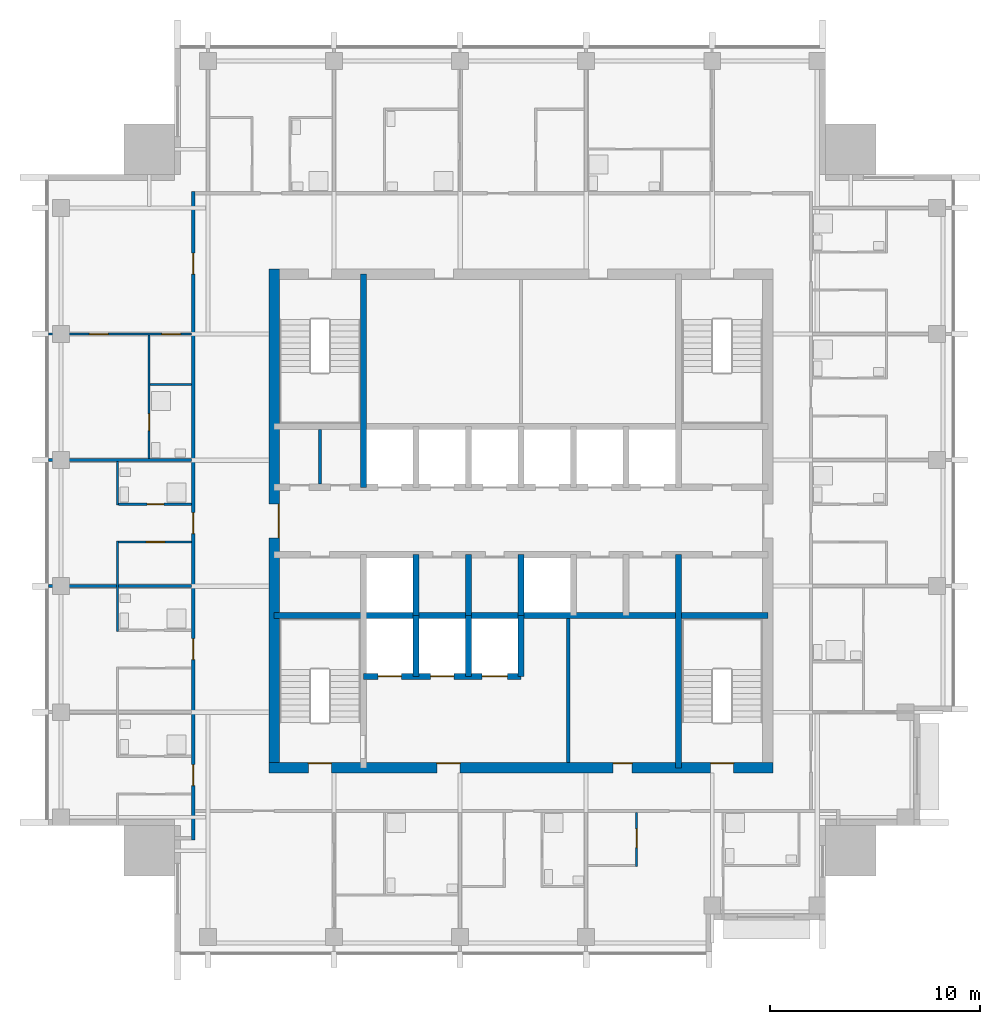
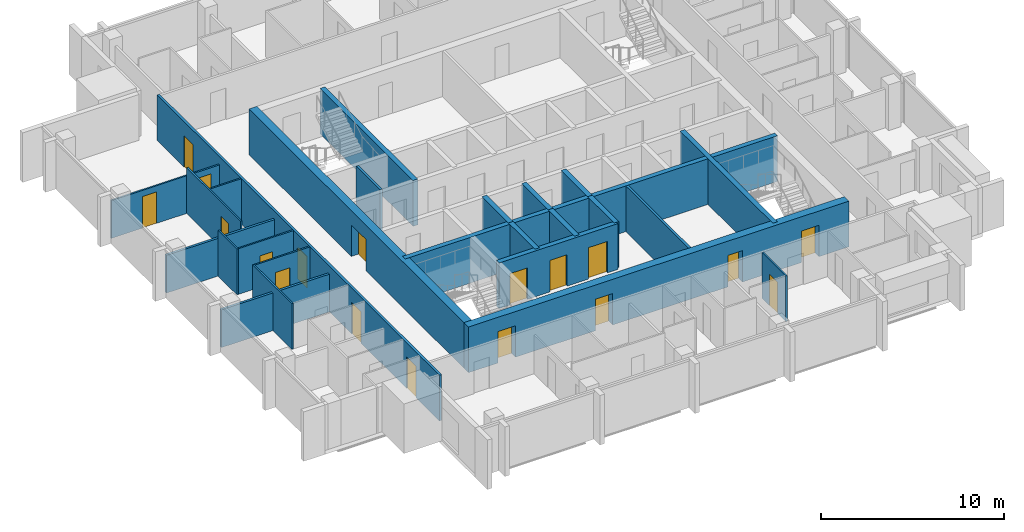
# One storey, part 4 of 9: 25 walls, 18 doors, 18 openings.
"""IFC4 building model written with IfcOpenShell, lengths in metres."""

from ifc_helpers import new_model, si_unit, direction, frame, frame_2d, origin, place, context, subcontext, project, spatial, rectangle, extrude, material, layer, layer_set, type_object, element, fill, save


model = new_model("IFC4")

# Units and contexts
model_context = context("Model", 3, precision=1e-05, world=origin(), true_north=direction((0.0, 1.0)))
body_context = subcontext(model_context, "Body", "Model", "MODEL_VIEW")
ifc_project = project(units=[si_unit("LENGTHUNIT", "METRE"), si_unit("AREAUNIT", "SQUARE_METRE"), si_unit("VOLUMEUNIT", "CUBIC_METRE"), si_unit("PLANEANGLEUNIT", "RADIAN"), si_unit("MASSUNIT", "GRAM", prefix="KILO")], contexts=[model_context])

# Site, building, storey
site_placement = place(None, origin())
site = spatial("IfcSite", under=ifc_project, at=site_placement, CompositionType="ELEMENT")
building_placement = place(site_placement, origin())
building = spatial("IfcBuilding", under=site, at=building_placement, Name="Amberfall Residences", CompositionType="ELEMENT")
storey_placement = place(building_placement, frame((0.0, 0.0, 245.5)))
storey = spatial("IfcBuildingStorey", under=building, at=storey_placement, Name="L65", CompositionType="ELEMENT", Elevation=245.5)

# Walls
ifc_material_1 = material(Name="Concrete C50", Category="concrete")
ifc_layer_1 = layer(ifc_material_1, 0.300048828125)
ifc_layer_set_1 = layer_set([ifc_layer_1], Name="Core wall 300 C50")
wall_type_1 = type_object("IfcWallType", Name="Core wall 300 C50", PredefinedType="SHEAR", material=ifc_layer_set_1)
wall_1_placement = place(storey_placement, frame((62.75, 41.0, 0.0), z_axis=(0.0, 0.0, 1.0), x_axis=(1.0, 0.0, 0.0)))
element("IfcWall", 1, at=wall_1_placement, inside=storey, type_object=wall_type_1, Name="Core wall RW10 L65 H75", PredefinedType="SHEAR", context=body_context, shape_type="SweptSolid", body=[
    extrude(rectangle(XDim=23.5, YDim=0.300048828125, at=frame_2d((11.75, 0.0))), origin(), (0.0, 0.0, 1.0), 3.050048828125),
])
for number, where, z_axis, x_axis, name in (
    (2, (67.0, 47.10009765625, 0.0), (0.0, 0.0, 1.0), (0.0, 1.0, 0.0), "Core wall RW10 L65 V45N"),
    (3, (82.0, 33.75, 0.0), (0.0, 0.0, 1.0), (0.0, 1.0, 0.0), "Core wall RW10 L65 V195S"),
):
    element("IfcWall", number, at=place(storey_placement, frame(where, z_axis=z_axis, x_axis=x_axis)), inside=storey, type_object=wall_type_1, Name=name, PredefinedType="SHEAR", context=body_context, shape_type="SweptSolid", body=[
        extrude(rectangle(XDim=10.14990234375, YDim=0.300048828125, at=frame_2d((5.074951171875, 0.0))), origin(), (0.0, 0.0, 1.0), 3.050048828125),
    ])
for number, where, z_axis, x_axis, name in (
    (4, (69.5, 41.0, 0.0), (0.0, 0.0, 1.0), (0.0, 1.0, 0.0), "Core wall RW10 L65 LPD1"),
    (5, (72.0, 41.0, 0.0), (0.0, 0.0, 1.0), (0.0, 1.0, 0.0), "Core wall RW10 L65 LPD2"),
    (6, (74.5, 41.0, 0.0), (0.0, 0.0, 1.0), (0.0, 1.0, 0.0), "Core wall RW10 L65 LPD3"),
):
    element("IfcWall", number, at=place(storey_placement, frame(where, z_axis=z_axis, x_axis=x_axis)), inside=storey, type_object=wall_type_1, Name=name, PredefinedType="SHEAR", context=body_context, shape_type="SweptSolid", body=[
        extrude(rectangle(XDim=2.89990234375, YDim=0.300048828125, at=frame_2d((1.449951171875, 0.0))), origin(), (0.0, 0.0, 1.0), 3.050048828125),
    ])

# Wall, openings, doors
wall_2_placement = place(storey_placement, frame((67.0, 38.10009765625, 0.0), z_axis=(0.0, 0.0, 1.0), x_axis=(1.0, 0.0, 0.0)))
wall_2 = element("IfcWall", 7, at=wall_2_placement, inside=storey, type_object=wall_type_1, Name="Core wall RW10 L65 FFF", PredefinedType="SHEAR", context=body_context, shape_type="SweptSolid", body=[
    extrude(rectangle(XDim=7.5, YDim=0.300048828125, at=frame_2d((3.75, 0.0))), origin(), (0.0, 0.0, 1.0), 3.050048828125),
])
opening_1_placement = place(wall_2_placement, frame((0.699951171875, 0.0, 0.0)))
opening_1 = element("IfcOpeningElement", 8, at=opening_1_placement, cuts=wall_2, Name="Opening LD2", PredefinedType="OPENING", context=body_context, shape_type="SweptSolid", body=[
    extrude(rectangle(XDim=1.10009765625, YDim=2.10009765625, at=frame_2d((0.550048828125, 1.050048828125))), frame((0.0, 0.159912109375, 0.0), z_axis=(0.0, -1.0, 0.0), x_axis=(1.0, 0.0, 0.0)), (0.0, 0.0, 1.0), 0.320068359375),
])
opening_2_placement = place(wall_2_placement, frame((3.199951171875, 0.0, 0.0)))
opening_2 = element("IfcOpeningElement", 9, at=opening_2_placement, cuts=wall_2, Name="Opening LD2", PredefinedType="OPENING", context=body_context, shape_type="SweptSolid", body=[
    extrude(rectangle(XDim=1.10009765625, YDim=2.10009765625, at=frame_2d((0.550048828125, 1.050048828125))), frame((0.0, 0.159912109375, 0.0), z_axis=(0.0, -1.0, 0.0), x_axis=(1.0, 0.0, 0.0)), (0.0, 0.0, 1.0), 0.320068359375),
])
opening_3_placement = place(wall_2_placement, frame((5.64990234375, 0.0, 0.0)))
opening_3 = element("IfcOpeningElement", 10, at=opening_3_placement, cuts=wall_2, Name="Opening LD3", PredefinedType="OPENING", context=body_context, shape_type="SweptSolid", body=[
    extrude(rectangle(XDim=1.199951171875, YDim=2.10009765625, at=frame_2d((0.60009765625, 1.050048828125))), frame((0.0, 0.159912109375, 0.0), z_axis=(0.0, -1.0, 0.0), x_axis=(1.0, 0.0, 0.0)), (0.0, 0.0, 1.0), 0.320068359375),
])
ifc_material_2 = material(Name="Steel fire door set", Category="steel")
door_type_1 = type_object("IfcDoorType", Name="Firefighting lift landing door 1100 x 2100", OperationType="DOUBLE_DOOR_SLIDING", PredefinedType="DOOR", material=ifc_material_2)
door_1_placement = place(opening_1_placement, origin())
door_1 = element("IfcDoor", 11, at=door_1_placement, inside=storey, type_object=door_type_1, Name="Landing door FF1 L65", OperationType="DOUBLE_DOOR_SLIDING", OverallHeight=2.10009765625, OverallWidth=1.10009765625, PredefinedType="DOOR", context=body_context, shape_type="SweptSolid", body=[
    extrude(rectangle(XDim=1.10009765625, YDim=2.10009765625, at=frame_2d((0.550048828125, 1.050048828125))), frame((0.0, 0.02490234375, 0.0), z_axis=(0.0, -1.0, 0.0), x_axis=(1.0, 0.0, 0.0)), (0.0, 0.0, 1.0), 0.050048828125),
])
fill(opening_1, door_1)
door_2_placement = place(opening_2_placement, origin())
door_2 = element("IfcDoor", 12, at=door_2_placement, inside=storey, type_object=door_type_1, Name="Landing door FF2 L65", OperationType="DOUBLE_DOOR_SLIDING", OverallHeight=2.10009765625, OverallWidth=1.10009765625, PredefinedType="DOOR", context=body_context, shape_type="SweptSolid", body=[
    extrude(rectangle(XDim=1.10009765625, YDim=2.10009765625, at=frame_2d((0.550048828125, 1.050048828125))), frame((0.0, 0.02490234375, 0.0), z_axis=(0.0, -1.0, 0.0), x_axis=(1.0, 0.0, 0.0)), (0.0, 0.0, 1.0), 0.050048828125),
])
fill(opening_2, door_2)
door_type_2 = type_object("IfcDoorType", Name="Service lift landing door 1200 x 2100", OperationType="DOUBLE_DOOR_SLIDING", PredefinedType="DOOR", material=ifc_material_2)
door_3_placement = place(opening_3_placement, origin())
door_3 = element("IfcDoor", 13, at=door_3_placement, inside=storey, type_object=door_type_2, Name="Landing door SL1 L65", OperationType="DOUBLE_DOOR_SLIDING", OverallHeight=2.10009765625, OverallWidth=1.199951171875, PredefinedType="DOOR", context=body_context, shape_type="SweptSolid", body=[
    extrude(rectangle(XDim=1.199951171875, YDim=2.10009765625, at=frame_2d((0.60009765625, 1.050048828125))), frame((0.0, 0.02490234375, 0.0), z_axis=(0.0, -1.0, 0.0), x_axis=(1.0, 0.0, 0.0)), (0.0, 0.0, 1.0), 0.050048828125),
])
fill(opening_3, door_3)

# Walls
for number, where, z_axis, x_axis, name in (
    (14, (69.5, 38.10009765625, 0.0), (0.0, 0.0, 1.0), (0.0, 1.0, 0.0), "Core wall RW10 L65 FFD1"),
    (15, (72.0, 38.10009765625, 0.0), (0.0, 0.0, 1.0), (0.0, 1.0, 0.0), "Core wall RW10 L65 FFD2"),
    (16, (74.5, 38.10009765625, 0.0), (0.0, 0.0, 1.0), (0.0, 1.0, 0.0), "Core wall RW10 L65 FFD3"),
):
    element("IfcWall", number, at=place(storey_placement, frame(where, z_axis=z_axis, x_axis=x_axis)), inside=storey, type_object=wall_type_1, Name=name, PredefinedType="SHEAR", context=body_context, shape_type="SweptSolid", body=[
        extrude(rectangle(XDim=2.89990234375, YDim=0.300048828125, at=frame_2d((1.449951171875, 0.0))), origin(), (0.0, 0.0, 1.0), 3.050048828125),
    ])

# Wall, openings, doors
ifc_layer_2 = layer(ifc_material_1, 0.5)
ifc_layer_set_2 = layer_set([ifc_layer_2], Name="Core wall 500 C50")
wall_type_2 = type_object("IfcWallType", Name="Core wall 500 C50", PredefinedType="SHEAR", material=ifc_layer_set_2)
wall_3_placement = place(storey_placement, frame((62.5, 33.75, 0.0), z_axis=(0.0, 0.0, 1.0), x_axis=(1.0, 0.0, 0.0)))
wall_3 = element("IfcWall", 17, at=wall_3_placement, inside=storey, type_object=wall_type_2, Name="Core wall RW9 L65 OS", PredefinedType="SHEAR", context=body_context, shape_type="SweptSolid", body=[
    extrude(rectangle(XDim=24.0, YDim=0.5, at=frame_2d((12.0, 0.0))), origin(), (0.0, 0.0, 1.0), 3.050048828125),
])
opening_4_placement = place(wall_3_placement, frame((1.875, 0.0, 0.0)))
opening_4 = element("IfcOpeningElement", 18, at=opening_4_placement, cuts=wall_3, Name="Opening SD1", PredefinedType="OPENING", context=body_context, shape_type="SweptSolid", body=[
    extrude(rectangle(XDim=1.10009765625, YDim=2.10009765625, at=frame_2d((0.550048828125, 1.050048828125))), frame((0.0, 0.260009765625, 0.0), z_axis=(0.0, -1.0, 0.0), x_axis=(1.0, 0.0, 0.0)), (0.0, 0.0, 1.0), 0.52001953125),
])
opening_5_placement = place(wall_3_placement, frame((21.02490234375, 0.0, 0.0)))
opening_5 = element("IfcOpeningElement", 19, at=opening_5_placement, cuts=wall_3, Name="Opening SD1", PredefinedType="OPENING", context=body_context, shape_type="SweptSolid", body=[
    extrude(rectangle(XDim=1.10009765625, YDim=2.10009765625, at=frame_2d((0.550048828125, 1.050048828125))), frame((0.0, 0.260009765625, 0.0), z_axis=(0.0, -1.0, 0.0), x_axis=(1.0, 0.0, 0.0)), (0.0, 0.0, 1.0), 0.52001953125),
])
opening_6_placement = place(wall_3_placement, frame((8.0, 0.0, 0.0)))
opening_6 = element("IfcOpeningElement", 20, at=opening_6_placement, cuts=wall_3, Name="Opening FL1", PredefinedType="OPENING", context=body_context, shape_type="SweptSolid", body=[
    extrude(rectangle(XDim=1.10009765625, YDim=2.10009765625, at=frame_2d((0.550048828125, 1.050048828125))), frame((0.0, 0.260009765625, 0.0), z_axis=(0.0, -1.0, 0.0), x_axis=(1.0, 0.0, 0.0)), (0.0, 0.0, 1.0), 0.52001953125),
])
opening_7_placement = place(wall_3_placement, frame((16.387451171875, 0.0, 0.0)))
opening_7 = element("IfcOpeningElement", 21, at=opening_7_placement, cuts=wall_3, Name="Opening RD1", PredefinedType="OPENING", context=body_context, shape_type="SweptSolid", body=[
    extrude(rectangle(XDim=0.89990234375, YDim=2.10009765625, at=frame_2d((0.449951171875, 1.050048828125))), frame((0.0, 0.260009765625, 0.0), z_axis=(0.0, -1.0, 0.0), x_axis=(1.0, 0.0, 0.0)), (0.0, 0.0, 1.0), 0.52001953125),
])
door_type_3 = type_object("IfcDoorType", Name="Firefighting lobby door 1100 x 2100", OperationType="SINGLE_SWING_LEFT", PredefinedType="DOOR", material=ifc_material_2)
door_4_placement = place(opening_6_placement, origin())
door_4 = element("IfcDoor", 22, at=door_4_placement, inside=storey, type_object=door_type_3, Name="FL1 L65", OperationType="SINGLE_SWING_LEFT", OverallHeight=2.10009765625, OverallWidth=1.10009765625, PredefinedType="DOOR", context=body_context, shape_type="SweptSolid", body=[
    extrude(rectangle(XDim=1.10009765625, YDim=2.10009765625, at=frame_2d((0.550048828125, 1.050048828125))), frame((0.0, 0.2373046875, 0.0), z_axis=(0.0, -1.0, 0.0), x_axis=(1.0, 0.0, 0.0)), (0.0, 0.0, 1.0), 0.050048828125),
])
fill(opening_6, door_4)
door_type_4 = type_object("IfcDoorType", Name="Service room door 900 x 2100", OperationType="SINGLE_SWING_LEFT", PredefinedType="DOOR", material=ifc_material_2)
door_5_placement = place(opening_7_placement, origin())
door_5 = element("IfcDoor", 23, at=door_5_placement, inside=storey, type_object=door_type_4, Name="RD1 L65", OperationType="SINGLE_SWING_LEFT", OverallHeight=2.10009765625, OverallWidth=0.89990234375, PredefinedType="DOOR", context=body_context, shape_type="SweptSolid", body=[
    extrude(rectangle(XDim=0.89990234375, YDim=2.10009765625, at=frame_2d((0.449951171875, 1.050048828125))), frame((0.0, 0.2373046875, 0.0), z_axis=(0.0, -1.0, 0.0), x_axis=(1.0, 0.0, 0.0)), (0.0, 0.0, 1.0), 0.050048828125),
])
fill(opening_7, door_5)
door_type_5 = type_object("IfcDoorType", Name="Stair door 1100 x 2100", OperationType="SINGLE_SWING_LEFT", PredefinedType="DOOR", material=ifc_material_2)
door_6_placement = place(opening_4_placement, origin())
door_6 = element("IfcDoor", 24, at=door_6_placement, inside=storey, type_object=door_type_5, Name="SD1 L65", OperationType="SINGLE_SWING_LEFT", OverallHeight=2.10009765625, OverallWidth=1.10009765625, PredefinedType="DOOR", context=body_context, shape_type="SweptSolid", body=[
    extrude(rectangle(XDim=1.10009765625, YDim=2.10009765625, at=frame_2d((0.550048828125, 1.050048828125))), frame((0.0, 0.2373046875, 0.0), z_axis=(0.0, -1.0, 0.0), x_axis=(1.0, 0.0, 0.0)), (0.0, 0.0, 1.0), 0.050048828125),
])
fill(opening_4, door_6)
door_7_placement = place(opening_5_placement, origin())
door_7 = element("IfcDoor", 25, at=door_7_placement, inside=storey, type_object=door_type_5, Name="SD1 L65", OperationType="SINGLE_SWING_RIGHT", OverallHeight=2.10009765625, OverallWidth=1.10009765625, PredefinedType="DOOR", context=body_context, shape_type="SweptSolid", body=[
    extrude(rectangle(XDim=1.10009765625, YDim=2.10009765625, at=frame_2d((0.550048828125, 1.050048828125))), frame((0.0, 0.2373046875, 0.0), z_axis=(0.0, -1.0, 0.0), x_axis=(1.0, 0.0, 0.0)), (0.0, 0.0, 1.0), 0.050048828125),
])
fill(opening_5, door_7)

# Wall, opening, door
wall_4_placement = place(storey_placement, frame((62.75, 33.5, 0.0), z_axis=(0.0, 0.0, 1.0), x_axis=(0.0, 1.0, 0.0)))
wall_4 = element("IfcWall", 26, at=wall_4_placement, inside=storey, type_object=wall_type_2, Name="Core wall RW9 L65 OW", PredefinedType="SHEAR", context=body_context, shape_type="SweptSolid", body=[
    extrude(rectangle(XDim=24.0, YDim=0.5, at=frame_2d((12.0, 0.0))), origin(), (0.0, 0.0, 1.0), 3.050048828125),
])
opening_8_placement = place(wall_4_placement, frame((11.199951171875, 0.0, 0.0)))
opening_8 = element("IfcOpeningElement", 27, at=opening_8_placement, cuts=wall_4, Name="Opening LB1", PredefinedType="OPENING", context=body_context, shape_type="SweptSolid", body=[
    extrude(rectangle(XDim=1.60009765625, YDim=2.10009765625, at=frame_2d((0.800048828125, 1.050048828125))), frame((0.0, 0.260009765625, 0.0), z_axis=(0.0, -1.0, 0.0), x_axis=(1.0, 0.0, 0.0)), (0.0, 0.0, 1.0), 0.52001953125),
])
door_type_6 = type_object("IfcDoorType", Name="Lift lobby double door 1600 x 2100", OperationType="DOUBLE_DOOR_SINGLE_SWING", PredefinedType="DOOR", material=ifc_material_2)
door_8_placement = place(opening_8_placement, origin())
door_8 = element("IfcDoor", 28, at=door_8_placement, inside=storey, type_object=door_type_6, Name="LB1 L65", OperationType="DOUBLE_DOOR_SINGLE_SWING", OverallHeight=2.10009765625, OverallWidth=1.60009765625, PredefinedType="DOOR", context=body_context, shape_type="SweptSolid", body=[
    extrude(rectangle(XDim=1.60009765625, YDim=2.10009765625, at=frame_2d((0.800048828125, 1.050048828125))), frame((0.0, -0.1875, 0.0), z_axis=(0.0, -1.0, 0.0), x_axis=(1.0, 0.0, 0.0)), (0.0, 0.0, 1.0), 0.050048828125),
])
fill(opening_8, door_8)

# Walls
ifc_material_3 = material(Name="Gypsum board on metal stud")
ifc_layer_3 = layer(ifc_material_3, 0.10009765625)
ifc_layer_set_3 = layer_set([ifc_layer_3], Name="Flat partition 100")
wall_type_3 = type_object("IfcWallType", Name="Flat partition 100", PredefinedType="PARTITIONING", material=ifc_layer_set_3)
wall_5_placement = place(storey_placement, frame((55.300048828125, 40.25, 0.0), z_axis=(0.0, 0.0, 1.0), x_axis=(0.0, 1.0, 0.0)))
element("IfcWall", 29, at=wall_5_placement, inside=storey, type_object=wall_type_3, Name="Partition 003", PredefinedType="PARTITIONING", context=body_context, shape_type="SweptSolid", body=[
    extrude(rectangle(XDim=4.300048828125, YDim=0.10009765625, at=frame_2d((2.14990234375, 0.0))), origin(), (0.0, 0.0, 1.0), 3.050048828125),
])
wall_6_placement = place(storey_placement, frame((55.300048828125, 46.25, 0.0), z_axis=(0.0, 0.0, 1.0), x_axis=(0.0, 1.0, 0.0)))
element("IfcWall", 30, at=wall_6_placement, inside=storey, type_object=wall_type_3, Name="Partition 004", PredefinedType="PARTITIONING", context=body_context, shape_type="SweptSolid", body=[
    extrude(rectangle(XDim=2.074951171875, YDim=0.10009765625, at=frame_2d((1.03759765625, 0.0))), origin(), (0.0, 0.0, 1.0), 3.050048828125),
])

# Wall, opening, door
wall_7_placement = place(storey_placement, frame((56.800048828125, 54.35009765625, 0.0), z_axis=(0.0, 0.0, 1.0), x_axis=(0.0, -1.0, 0.0)))
wall_7 = element("IfcWall", 31, at=wall_7_placement, inside=storey, type_object=wall_type_3, Name="Partition 005", PredefinedType="PARTITIONING", context=body_context, shape_type="SweptSolid", body=[
    extrude(rectangle(XDim=5.875, YDim=0.10009765625, at=frame_2d((2.9375, 0.0))), origin(), (0.0, 0.0, 1.0), 3.050048828125),
])
opening_9_placement = place(wall_7_placement, frame((3.75, 0.0, 0.0)))
opening_9 = element("IfcOpeningElement", 32, at=opening_9_placement, cuts=wall_7, Name="Opening D42", PredefinedType="OPENING", context=body_context, shape_type="SweptSolid", body=[
    extrude(rectangle(XDim=0.800048828125, YDim=2.10009765625, at=frame_2d((0.39990234375, 1.050048828125))), frame((0.0, 0.06005859375, 0.0), z_axis=(0.0, -1.0, 0.0), x_axis=(1.0, 0.0, 0.0)), (0.0, 0.0, 1.0), 0.1201171875),
])
ifc_material_4 = material(Name="Timber", Category="wood")
door_type_7 = type_object("IfcDoorType", Name="Bathroom door 800 x 2100", OperationType="SINGLE_SWING_LEFT", PredefinedType="DOOR", material=ifc_material_4)
door_9_placement = place(opening_9_placement, origin())
door_9 = element("IfcDoor", 33, at=door_9_placement, inside=storey, type_object=door_type_7, Name="Door 6514 bath1", OperationType="SINGLE_SWING_LEFT", OverallHeight=2.10009765625, OverallWidth=0.800048828125, PredefinedType="DOOR", context=body_context, shape_type="SweptSolid", body=[
    extrude(rectangle(XDim=0.800048828125, YDim=2.10009765625, at=frame_2d((0.39990234375, 1.050048828125))), frame((0.0, 0.02490234375, 0.0), z_axis=(0.0, -1.0, 0.0), x_axis=(1.0, 0.0, 0.0)), (0.0, 0.0, 1.0), 0.050048828125),
])
fill(opening_9, door_9)

wall_8_placement = place(storey_placement, frame((80.0, 29.050048828125, 0.0), z_axis=(0.0, 0.0, 1.0), x_axis=(0.0, 1.0, 0.0)))
wall_8 = element("IfcWall", 34, at=wall_8_placement, inside=storey, type_object=wall_type_3, Name="Partition 015", PredefinedType="PARTITIONING", context=body_context, shape_type="SweptSolid", body=[
    extrude(rectangle(XDim=2.574951171875, YDim=0.10009765625, at=frame_2d((1.28759765625, 0.0))), origin(), (0.0, 0.0, 1.0), 3.050048828125),
])
opening_10_placement = place(wall_8_placement, frame((0.89990234375, 0.0, 0.0)))
opening_10 = element("IfcOpeningElement", 35, at=opening_10_placement, cuts=wall_8, Name="Opening D41", PredefinedType="OPENING", context=body_context, shape_type="SweptSolid", body=[
    extrude(rectangle(XDim=0.89990234375, YDim=2.10009765625, at=frame_2d((0.449951171875, 1.050048828125))), frame((0.0, 0.06005859375, 0.0), z_axis=(0.0, -1.0, 0.0), x_axis=(1.0, 0.0, 0.0)), (0.0, 0.0, 1.0), 0.1201171875),
])
door_type_8 = type_object("IfcDoorType", Name="Internal door 900 x 2100", OperationType="SINGLE_SWING_LEFT", PredefinedType="DOOR", material=ifc_material_4)
door_10_placement = place(opening_10_placement, origin())
door_10 = element("IfcDoor", 36, at=door_10_placement, inside=storey, type_object=door_type_8, Name="Door 6503 kitchen", OperationType="SINGLE_SWING_LEFT", OverallHeight=2.10009765625, OverallWidth=0.89990234375, PredefinedType="DOOR", context=body_context, shape_type="SweptSolid", body=[
    extrude(rectangle(XDim=0.89990234375, YDim=2.10009765625, at=frame_2d((0.449951171875, 1.050048828125))), frame((0.0, 0.02490234375, 0.0), z_axis=(0.0, -1.0, 0.0), x_axis=(1.0, 0.0, 0.0)), (0.0, 0.0, 1.0), 0.050048828125),
])
fill(opening_10, door_10)

# Wall, openings, doors
wall_9_placement = place(storey_placement, frame((58.824951171875, 54.39990234375, 0.0), z_axis=(0.0, 0.0, 1.0), x_axis=(-1.0, 0.0, 0.0)))
wall_9 = element("IfcWall", 37, at=wall_9_placement, inside=storey, type_object=wall_type_3, Name="Partition 032", PredefinedType="PARTITIONING", context=body_context, shape_type="SweptSolid", body=[
    extrude(rectangle(XDim=6.824951171875, YDim=0.10009765625, at=frame_2d((3.41259765625, 0.0))), origin(), (0.0, 0.0, 1.0), 2.51611328125),
])
opening_11_placement = place(wall_9_placement, frame((0.52490234375, 0.0, 0.0)))
opening_11 = element("IfcOpeningElement", 38, at=opening_11_placement, cuts=wall_9, Name="Opening D41", PredefinedType="OPENING", context=body_context, shape_type="SweptSolid", body=[
    extrude(rectangle(XDim=0.89990234375, YDim=2.10009765625, at=frame_2d((0.449951171875, 1.050048828125))), frame((0.0, 0.06005859375, 0.0), z_axis=(0.0, -1.0, 0.0), x_axis=(1.0, 0.0, 0.0)), (0.0, 0.0, 1.0), 0.1201171875),
])
opening_12_placement = place(wall_9_placement, frame((3.97509765625, 0.0, 0.0)))
opening_12 = element("IfcOpeningElement", 39, at=opening_12_placement, cuts=wall_9, Name="Opening D41", PredefinedType="OPENING", context=body_context, shape_type="SweptSolid", body=[
    extrude(rectangle(XDim=0.89990234375, YDim=2.10009765625, at=frame_2d((0.449951171875, 1.050048828125))), frame((0.0, 0.06005859375, 0.0), z_axis=(0.0, -1.0, 0.0), x_axis=(1.0, 0.0, 0.0)), (0.0, 0.0, 1.0), 0.1201171875),
])
door_11_placement = place(opening_11_placement, origin())
door_11 = element("IfcDoor", 40, at=door_11_placement, inside=storey, type_object=door_type_8, Name="Door 6514 kitchen", OperationType="SINGLE_SWING_LEFT", OverallHeight=2.10009765625, OverallWidth=0.89990234375, PredefinedType="DOOR", context=body_context, shape_type="SweptSolid", body=[
    extrude(rectangle(XDim=0.89990234375, YDim=2.10009765625, at=frame_2d((0.449951171875, 1.050048828125))), frame((0.0, 0.02490234375, 0.0), z_axis=(0.0, -1.0, 0.0), x_axis=(1.0, 0.0, 0.0)), (0.0, 0.0, 1.0), 0.050048828125),
])
fill(opening_11, door_11)
door_12_placement = place(opening_12_placement, origin())
door_12 = element("IfcDoor", 41, at=door_12_placement, inside=storey, type_object=door_type_8, Name="Door 6514 bedroom1", OperationType="SINGLE_SWING_LEFT", OverallHeight=2.10009765625, OverallWidth=0.89990234375, PredefinedType="DOOR", context=body_context, shape_type="SweptSolid", body=[
    extrude(rectangle(XDim=0.89990234375, YDim=2.10009765625, at=frame_2d((0.449951171875, 1.050048828125))), frame((0.0, 0.02490234375, 0.0), z_axis=(0.0, -1.0, 0.0), x_axis=(1.0, 0.0, 0.0)), (0.0, 0.0, 1.0), 0.050048828125),
])
fill(opening_12, door_12)

# Wall
wall_10_placement = place(storey_placement, frame((56.85009765625, 52.0, 0.0), z_axis=(0.0, 0.0, 1.0), x_axis=(1.0, 0.0, 0.0)))
element("IfcWall", 42, at=wall_10_placement, inside=storey, type_object=wall_type_3, Name="Partition 034", PredefinedType="PARTITIONING", context=body_context, shape_type="SweptSolid", body=[
    extrude(rectangle(XDim=1.974853515625, YDim=0.10009765625, at=frame_2d((0.9873046875, 0.0))), origin(), (0.0, 0.0, 1.0), 3.050048828125),
])

# Wall, opening, door
wall_11_placement = place(storey_placement, frame((55.35009765625, 46.300048828125, 0.0), z_axis=(0.0, 0.0, 1.0), x_axis=(1.0, 0.0, 0.0)))
wall_11 = element("IfcWall", 43, at=wall_11_placement, inside=storey, type_object=wall_type_3, Name="Partition 036", PredefinedType="PARTITIONING", context=body_context, shape_type="SweptSolid", body=[
    extrude(rectangle(XDim=3.474853515625, YDim=0.10009765625, at=frame_2d((1.7373046875, 0.0))), origin(), (0.0, 0.0, 1.0), 3.050048828125),
])
opening_13_placement = place(wall_11_placement, frame((1.35009765625, 0.0, 0.0)))
opening_13 = element("IfcOpeningElement", 44, at=opening_13_placement, cuts=wall_11, Name="Opening D42", PredefinedType="OPENING", context=body_context, shape_type="SweptSolid", body=[
    extrude(rectangle(XDim=0.800048828125, YDim=2.10009765625, at=frame_2d((0.39990234375, 1.050048828125))), frame((0.0, 0.06005859375, 0.0), z_axis=(0.0, -1.0, 0.0), x_axis=(1.0, 0.0, 0.0)), (0.0, 0.0, 1.0), 0.1201171875),
])
door_13_placement = place(opening_13_placement, origin())
door_13 = element("IfcDoor", 45, at=door_13_placement, inside=storey, type_object=door_type_7, Name="Door 6513 bath1", OperationType="SINGLE_SWING_LEFT", OverallHeight=2.10009765625, OverallWidth=0.800048828125, PredefinedType="DOOR", context=body_context, shape_type="SweptSolid", body=[
    extrude(rectangle(XDim=0.800048828125, YDim=2.10009765625, at=frame_2d((0.39990234375, 1.050048828125))), frame((0.0, 0.02490234375, 0.0), z_axis=(0.0, -1.0, 0.0), x_axis=(1.0, 0.0, 0.0)), (0.0, 0.0, 1.0), 0.050048828125),
])
fill(opening_13, door_13)

wall_12_placement = place(storey_placement, frame((58.824951171875, 44.5, 0.0), z_axis=(0.0, 0.0, 1.0), x_axis=(-1.0, 0.0, 0.0)))
wall_12 = element("IfcWall", 46, at=wall_12_placement, inside=storey, type_object=wall_type_3, Name="Partition 038", PredefinedType="PARTITIONING", context=body_context, shape_type="SweptSolid", body=[
    extrude(rectangle(XDim=3.474853515625, YDim=0.10009765625, at=frame_2d((1.7373046875, 0.0))), origin(), (0.0, 0.0, 1.0), 3.050048828125),
])
opening_14_placement = place(wall_12_placement, frame((1.27490234375, 0.0, 0.0)))
opening_14 = element("IfcOpeningElement", 47, at=opening_14_placement, cuts=wall_12, Name="Opening D41", PredefinedType="OPENING", context=body_context, shape_type="SweptSolid", body=[
    extrude(rectangle(XDim=0.89990234375, YDim=2.10009765625, at=frame_2d((0.449951171875, 1.050048828125))), frame((0.0, 0.06005859375, 0.0), z_axis=(0.0, -1.0, 0.0), x_axis=(1.0, 0.0, 0.0)), (0.0, 0.0, 1.0), 0.1201171875),
])
door_14_placement = place(opening_14_placement, origin())
door_14 = element("IfcDoor", 48, at=door_14_placement, inside=storey, type_object=door_type_8, Name="Door 6513 kitchen", OperationType="SINGLE_SWING_LEFT", OverallHeight=2.10009765625, OverallWidth=0.89990234375, PredefinedType="DOOR", context=body_context, shape_type="SweptSolid", body=[
    extrude(rectangle(XDim=0.89990234375, YDim=2.10009765625, at=frame_2d((0.449951171875, 1.050048828125))), frame((0.0, 0.02490234375, 0.0), z_axis=(0.0, -1.0, 0.0), x_axis=(1.0, 0.0, 0.0)), (0.0, 0.0, 1.0), 0.050048828125),
])
fill(opening_14, door_14)

# Wall, openings, doors
ifc_material_5 = material(Name="Blockwork, plastered", Category="masonry")
ifc_layer_4 = layer(ifc_material_5, 0.14990234375)
ifc_layer_set_4 = layer_set([ifc_layer_4], Name="Flat separating wall 150")
wall_type_4 = type_object("IfcWallType", Name="Flat separating wall 150", PredefinedType="PARTITIONING", material=ifc_layer_set_4)
wall_13_placement = place(storey_placement, frame((58.89990234375, 30.324951171875, 0.0), z_axis=(0.0, 0.0, 1.0), x_axis=(0.0, 1.0, 0.0)))
wall_13 = element("IfcWall", 49, at=wall_13_placement, inside=storey, type_object=wall_type_4, Name="Separating wall 051", PredefinedType="PARTITIONING", context=body_context, shape_type="SweptSolid", body=[
    extrude(rectangle(XDim=30.85009765625, YDim=0.14990234375, at=frame_2d((15.425048828125, 0.0))), origin(), (0.0, 0.0, 1.0), 3.050048828125),
])
opening_15_placement = place(wall_13_placement, frame((2.574951171875, 0.0, 0.0)))
opening_15 = element("IfcOpeningElement", 50, at=opening_15_placement, cuts=wall_13, Name="Opening D40", PredefinedType="OPENING", context=body_context, shape_type="SweptSolid", body=[
    extrude(rectangle(XDim=1.0, YDim=2.10009765625, at=frame_2d((0.5, 1.050048828125))), frame((0.0, 0.0849609375, 0.0), z_axis=(0.0, -1.0, 0.0), x_axis=(1.0, 0.0, 0.0)), (0.0, 0.0, 1.0), 0.169921875),
])
opening_16_placement = place(wall_13_placement, frame((8.574951171875, 0.0, 0.0)))
opening_16 = element("IfcOpeningElement", 51, at=opening_16_placement, cuts=wall_13, Name="Opening D40", PredefinedType="OPENING", context=body_context, shape_type="SweptSolid", body=[
    extrude(rectangle(XDim=1.0, YDim=2.10009765625, at=frame_2d((0.5, 1.050048828125))), frame((0.0, 0.0849609375, 0.0), z_axis=(0.0, -1.0, 0.0), x_axis=(1.0, 0.0, 0.0)), (0.0, 0.0, 1.0), 0.169921875),
])
opening_17_placement = place(wall_13_placement, frame((14.574951171875, 0.0, 0.0)))
opening_17 = element("IfcOpeningElement", 52, at=opening_17_placement, cuts=wall_13, Name="Opening D40", PredefinedType="OPENING", context=body_context, shape_type="SweptSolid", body=[
    extrude(rectangle(XDim=1.0, YDim=2.10009765625, at=frame_2d((0.5, 1.050048828125))), frame((0.0, 0.0849609375, 0.0), z_axis=(0.0, -1.0, 0.0), x_axis=(1.0, 0.0, 0.0)), (0.0, 0.0, 1.0), 0.169921875),
])
opening_18_placement = place(wall_13_placement, frame((26.925048828125, 0.0, 0.0)))
opening_18 = element("IfcOpeningElement", 53, at=opening_18_placement, cuts=wall_13, Name="Opening D40", PredefinedType="OPENING", context=body_context, shape_type="SweptSolid", body=[
    extrude(rectangle(XDim=1.0, YDim=2.10009765625, at=frame_2d((0.5, 1.050048828125))), frame((0.0, 0.0849609375, 0.0), z_axis=(0.0, -1.0, 0.0), x_axis=(1.0, 0.0, 0.0)), (0.0, 0.0, 1.0), 0.169921875),
])
ifc_material_6 = material(Name="Timber, fire-rated", Category="wood")
door_type_9 = type_object("IfcDoorType", Name="Flat entrance door FD60 1000 x 2100", OperationType="SINGLE_SWING_LEFT", PredefinedType="DOOR", material=ifc_material_6)
door_15_placement = place(opening_15_placement, origin())
door_15 = element("IfcDoor", 54, at=door_15_placement, inside=storey, type_object=door_type_9, Name="Door 6511 entrance", OperationType="SINGLE_SWING_LEFT", OverallHeight=2.10009765625, OverallWidth=1.0, PredefinedType="DOOR", context=body_context, shape_type="SweptSolid", body=[
    extrude(rectangle(XDim=1.0, YDim=2.10009765625, at=frame_2d((0.5, 1.050048828125))), frame((0.0, 0.02490234375, 0.0), z_axis=(0.0, -1.0, 0.0), x_axis=(1.0, 0.0, 0.0)), (0.0, 0.0, 1.0), 0.050048828125),
])
fill(opening_15, door_15)
door_16_placement = place(opening_16_placement, origin())
door_16 = element("IfcDoor", 55, at=door_16_placement, inside=storey, type_object=door_type_9, Name="Door 6512 entrance", OperationType="SINGLE_SWING_LEFT", OverallHeight=2.10009765625, OverallWidth=1.0, PredefinedType="DOOR", context=body_context, shape_type="SweptSolid", body=[
    extrude(rectangle(XDim=1.0, YDim=2.10009765625, at=frame_2d((0.5, 1.050048828125))), frame((0.0, 0.02490234375, 0.0), z_axis=(0.0, -1.0, 0.0), x_axis=(1.0, 0.0, 0.0)), (0.0, 0.0, 1.0), 0.050048828125),
])
fill(opening_16, door_16)
door_17_placement = place(opening_17_placement, origin())
door_17 = element("IfcDoor", 56, at=door_17_placement, inside=storey, type_object=door_type_9, Name="Door 6513 entrance", OperationType="SINGLE_SWING_LEFT", OverallHeight=2.10009765625, OverallWidth=1.0, PredefinedType="DOOR", context=body_context, shape_type="SweptSolid", body=[
    extrude(rectangle(XDim=1.0, YDim=2.10009765625, at=frame_2d((0.5, 1.050048828125))), frame((0.0, 0.02490234375, 0.0), z_axis=(0.0, -1.0, 0.0), x_axis=(1.0, 0.0, 0.0)), (0.0, 0.0, 1.0), 0.050048828125),
])
fill(opening_17, door_17)
door_18_placement = place(opening_18_placement, origin())
door_18 = element("IfcDoor", 57, at=door_18_placement, inside=storey, type_object=door_type_9, Name="Door 6514 entrance", OperationType="SINGLE_SWING_LEFT", OverallHeight=2.10009765625, OverallWidth=1.0, PredefinedType="DOOR", context=body_context, shape_type="SweptSolid", body=[
    extrude(rectangle(XDim=1.0, YDim=2.10009765625, at=frame_2d((0.5, 1.050048828125))), frame((0.0, 0.02490234375, 0.0), z_axis=(0.0, -1.0, 0.0), x_axis=(1.0, 0.0, 0.0)), (0.0, 0.0, 1.0), 0.050048828125),
])
fill(opening_18, door_18)

# Walls
for number, where, z_axis, x_axis, name in (
    (58, (52.0, 48.39990234375, 0.0), (0.0, 0.0, 1.0), (1.0, 0.0, 0.0), "Separating wall 062"),
    (59, (52.0, 42.39990234375, 0.0), (0.0, 0.0, 1.0), (1.0, 0.0, 0.0), "Separating wall 064"),
):
    element("IfcWall", number, at=place(storey_placement, frame(where, z_axis=z_axis, x_axis=x_axis)), inside=storey, type_object=wall_type_4, Name=name, PredefinedType="PARTITIONING", context=body_context, shape_type="SweptSolid", body=[
        extrude(rectangle(XDim=6.824951171875, YDim=0.14990234375, at=frame_2d((3.41259765625, 0.0))), origin(), (0.0, 0.0, 1.0), 2.51611328125),
    ])
ifc_material_7 = material(Name="Concrete blockwork", Category="masonry")
ifc_layer_5 = layer(ifc_material_7, 0.14990234375)
ifc_layer_set_5 = layer_set([ifc_layer_5], Name="Riser wall 150")
wall_type_5 = type_object("IfcWallType", Name="Riser wall 150", PredefinedType="PLUMBINGWALL", material=ifc_layer_set_5)
wall_14_placement = place(storey_placement, frame((76.75, 34.0, 0.0), z_axis=(0.0, 0.0, 1.0), x_axis=(0.0, 1.0, 0.0)))
element("IfcWall", 60, at=wall_14_placement, inside=storey, type_object=wall_type_5, Name="L65 core wall PX", PredefinedType="PLUMBINGWALL", context=body_context, shape_type="SweptSolid", body=[
    extrude(rectangle(XDim=6.85009765625, YDim=0.14990234375, at=frame_2d((3.425048828125, 0.0))), origin(), (0.0, 0.0, 1.0), 3.050048828125),
])
wall_15_placement = place(storey_placement, frame((64.925048828125, 47.25, 0.0), z_axis=(0.0, 0.0, 1.0), x_axis=(0.0, 1.0, 0.0)))
element("IfcWall", 61, at=wall_15_placement, inside=storey, type_object=wall_type_5, Name="L65 core wall ANW0", PredefinedType="PLUMBINGWALL", context=body_context, shape_type="SweptSolid", body=[
    extrude(rectangle(XDim=2.60009765625, YDim=0.14990234375, at=frame_2d((1.300048828125, 0.0))), origin(), (0.0, 0.0, 1.0), 3.050048828125),
])

save(model, "model.ifc")
